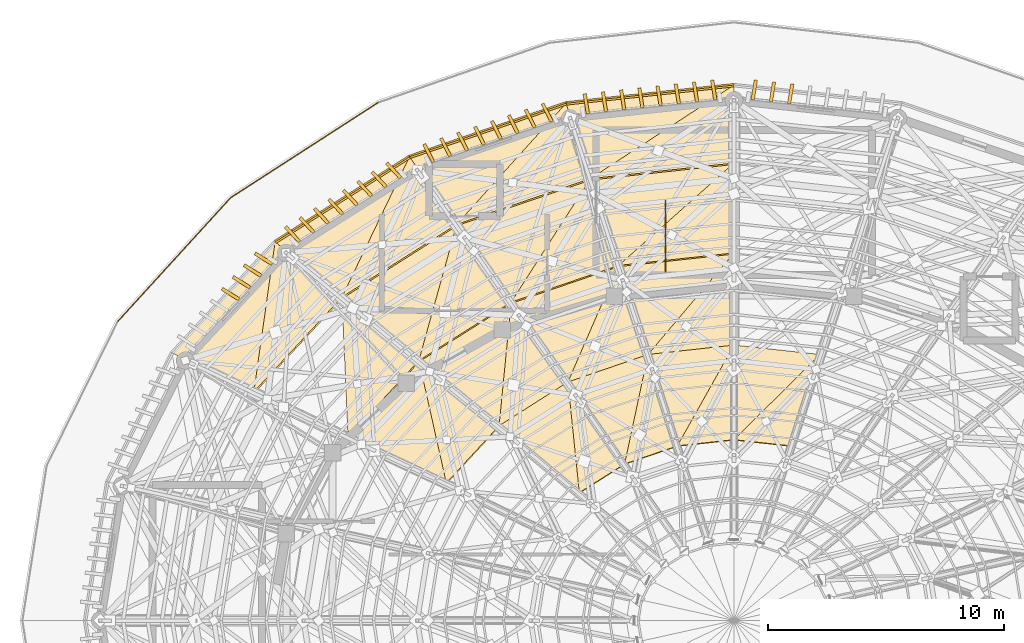
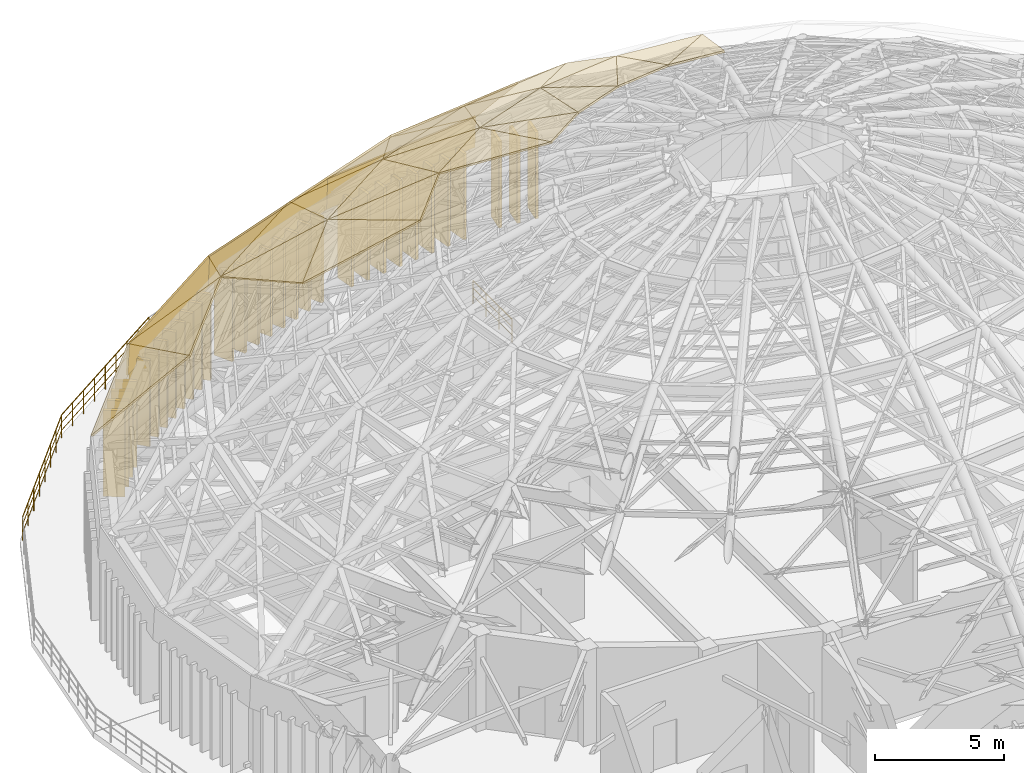
# One storey, part 48 of 50: 34 coverings, 31 shading devices, 3 railings, 3 elements without a shape of their own.
"""IFC4 building model written with IfcOpenShell, lengths in metres."""

from ifc_helpers import new_model, si_unit, direction, frame, origin, origin_2d, place, context, subcontext, project, spatial, polyline, rectangle, circle, outline, extrude, material, layer, layer_set, type_object, element, aggregate, save


model = new_model("IFC4")

# Units and contexts
model_context = context("Model", 3, precision=1e-05, world=origin(), true_north=direction((0.0, 1.0)))
body_context = subcontext(model_context, "Body", "Model", "MODEL_VIEW")
ifc_project = project(units=[si_unit("LENGTHUNIT", "METRE"), si_unit("AREAUNIT", "SQUARE_METRE"), si_unit("VOLUMEUNIT", "CUBIC_METRE"), si_unit("PLANEANGLEUNIT", "RADIAN"), si_unit("MASSUNIT", "GRAM", prefix="KILO")], contexts=[model_context])

# Site, building, storey
site_placement = place(None, origin())
site = spatial("IfcSite", under=ifc_project, at=site_placement, CompositionType="ELEMENT")
building_placement = place(site_placement, origin())
building = spatial("IfcBuilding", under=site, at=building_placement, Name="Cinderbank Siding Concert Hall", CompositionType="ELEMENT")
storey_placement = place(building_placement, frame((0.0, 0.0, 23.699951171875)))
storey = spatial("IfcBuildingStorey", under=building, at=storey_placement, Name="L06", CompositionType="ELEMENT", Elevation=23.699951171875)

# Railings
ifc_material_1 = material(Name="Structural steel AS/NZS 3679.1 Grade 350 (340 MPa)", Category="steel")
railing_type_1 = type_object("IfcRailingType", Name="GD-01 Terrace & Perimeter Guardrail 1120mm", PredefinedType="GUARDRAIL", material=ifc_material_1)
railing_1_placement = place(storey_placement, frame((95.929443359375, 56.64306640625, 0.0)))
element("IfcRailing", 1, at=railing_1_placement, inside=storey, type_object=railing_type_1, Name="L06 Perimeter Guardrail #141", PredefinedType="GUARDRAIL", context=body_context, shape_type="SweptSolid", body=[
    extrude(circle(Radius=0.02392578125, at=origin_2d()), frame((0.0, 0.0, 1.09619140625), z_axis=(0.673978793804, 0.738750692387, 0.0), x_axis=(-0.738750692387, 0.673978793804, 0.0)), (0.0, 0.0, 1.0), 7.09375),
    extrude(circle(Radius=0.01611328125, at=origin_2d()), frame((0.0, 0.0, 0.36962890625), z_axis=(0.673978793804, 0.738750692387, 0.0), x_axis=(-0.738750692387, 0.673978793804, 0.0)), (0.0, 0.0, 1.0), 7.09375),
    extrude(circle(Radius=0.01611328125, at=origin_2d()), frame((0.0, 0.0, 0.7392578125), z_axis=(0.673978793804, 0.738750692387, 0.0), x_axis=(-0.738750692387, 0.673978793804, 0.0)), (0.0, 0.0, 1.0), 7.09375),
    extrude(circle(Radius=0.02099609375, at=origin_2d()), origin(), (0.0, 0.0, 1.0), 1.072021484375),
    extrude(circle(Radius=0.02099609375, at=origin_2d()), frame((0.68310546875, 0.74853515625, 0.0)), (0.0, 0.0, 1.0), 1.072021484375),
    extrude(circle(Radius=0.02099609375, at=origin_2d()), frame((1.365966796875, 1.497314453125, 0.0)), (0.0, 0.0, 1.0), 1.072021484375),
    extrude(circle(Radius=0.02099609375, at=origin_2d()), frame((2.049072265625, 2.245849609375, 0.0)), (0.0, 0.0, 1.0), 1.072021484375),
    extrude(circle(Radius=0.02099609375, at=origin_2d()), frame((2.73193359375, 2.99462890625, 0.0)), (0.0, 0.0, 1.0), 1.072021484375),
    extrude(circle(Radius=0.02099609375, at=origin_2d()), frame((3.4150390625, 3.7431640625, 0.0)), (0.0, 0.0, 1.0), 1.072021484375),
    extrude(circle(Radius=0.02099609375, at=origin_2d()), frame((4.097900390625, 4.491943359375, 0.0)), (0.0, 0.0, 1.0), 1.072021484375),
    extrude(circle(Radius=0.02099609375, at=origin_2d()), frame((4.781005859375, 5.240478515625, 0.0)), (0.0, 0.0, 1.0), 1.072021484375),
])
railing_2_placement = place(storey_placement, frame((100.71044921875, 61.883544921875, 0.0)))
element("IfcRailing", 2, at=railing_2_placement, inside=storey, type_object=railing_type_1, Name="L06 Perimeter Guardrail #142", PredefinedType="GUARDRAIL", context=body_context, shape_type="SweptSolid", body=[
    extrude(circle(Radius=0.02392578125, at=origin_2d()), frame((0.0, 0.0, 1.09619140625), z_axis=(0.840220235148, 0.54224529177, 0.0), x_axis=(-0.54224529177, 0.840220235148, 0.0)), (0.0, 0.0, 1.0), 7.4189453125),
    extrude(circle(Radius=0.01611328125, at=origin_2d()), frame((0.0, 0.0, 0.36962890625), z_axis=(0.840220235148, 0.54224529177, 0.0), x_axis=(-0.54224529177, 0.840220235148, 0.0)), (0.0, 0.0, 1.0), 7.4189453125),
    extrude(circle(Radius=0.01611328125, at=origin_2d()), frame((0.0, 0.0, 0.7392578125), z_axis=(0.840220235148, 0.54224529177, 0.0), x_axis=(-0.54224529177, 0.840220235148, 0.0)), (0.0, 0.0, 1.0), 7.4189453125),
    extrude(circle(Radius=0.02099609375, at=origin_2d()), origin(), (0.0, 0.0, 1.0), 1.072021484375),
    extrude(circle(Radius=0.02099609375, at=origin_2d()), frame((0.779296875, 0.5029296875, 0.0)), (0.0, 0.0, 1.0), 1.072021484375),
    extrude(circle(Radius=0.02099609375, at=origin_2d()), frame((1.558349609375, 1.005859375, 0.0)), (0.0, 0.0, 1.0), 1.072021484375),
    extrude(circle(Radius=0.02099609375, at=origin_2d()), frame((2.337646484375, 1.508544921875, 0.0)), (0.0, 0.0, 1.0), 1.072021484375),
    extrude(circle(Radius=0.02099609375, at=origin_2d()), frame((3.11669921875, 2.011474609375, 0.0)), (0.0, 0.0, 1.0), 1.072021484375),
    extrude(circle(Radius=0.02099609375, at=origin_2d()), frame((3.89599609375, 2.514404296875, 0.0)), (0.0, 0.0, 1.0), 1.072021484375),
    extrude(circle(Radius=0.02099609375, at=origin_2d()), frame((4.67529296875, 3.01708984375, 0.0)), (0.0, 0.0, 1.0), 1.072021484375),
    extrude(circle(Radius=0.02099609375, at=origin_2d()), frame((5.454345703125, 3.52001953125, 0.0)), (0.0, 0.0, 1.0), 1.072021484375),
    extrude(circle(Radius=0.02099609375, at=origin_2d()), frame((6.233642578125, 4.02294921875, 0.0)), (0.0, 0.0, 1.0), 1.072021484375),
])

# Shading devices
ifc_material_2 = material(Name="Glazed architectural terracotta acoustic louvre unit", Category="masonry")
shading_device_type = type_object("IfcShadingDeviceType", Name="LV-02 Terracotta Louvre Blade 850x4050", PredefinedType="JALOUSIE", material=ifc_material_2)
for number, where, z_axis, x_axis, name in (
    (3, (124.39697265625, 66.273193359375, -0.27490234375), (0.0, 0.0, 1.0), (0.158354123126, 0.987382383724, 0.0), "L06 Terracotta Louvre Blade #223"),
    (4, (123.626708984375, 66.356689453125, -0.27490234375), (0.0, 0.0, 1.0), (0.158354123126, 0.987382383724, 0.0), "L06 Terracotta Louvre Blade #224"),
    (5, (122.856689453125, 66.439697265625, -0.27490234375), (0.0, 0.0, 1.0), (0.158354123126, 0.987382383724, 0.0), "L06 Terracotta Louvre Blade #225"),
    (6, (121.143310546875, 66.439697265625, -0.27490234375), (0.0, 0.0, 1.0), (-0.158354123126, 0.987382383724, 0.0), "L06 Terracotta Louvre Blade #226"),
    (7, (120.373291015625, 66.356689453125, -0.27490234375), (0.0, 0.0, 1.0), (-0.158354123126, 0.987382383724, 0.0), "L06 Terracotta Louvre Blade #227"),
    (8, (119.60302734375, 66.273193359375, -0.27490234375), (0.0, 0.0, 1.0), (-0.158354123126, 0.987382383724, 0.0), "L06 Terracotta Louvre Blade #228"),
    (9, (118.8330078125, 66.190185546875, -0.27490234375), (0.0, 0.0, 1.0), (-0.158354123126, 0.987382383724, 0.0), "L06 Terracotta Louvre Blade #229"),
    (10, (118.062744140625, 66.10693359375, -0.27490234375), (0.0, 0.0, 1.0), (-0.158354123126, 0.987382383724, 0.0), "L06 Terracotta Louvre Blade #230"),
    (11, (117.292724609375, 66.023681640625, -0.27490234375), (0.0, 0.0, 1.0), (-0.158354123126, 0.987382383724, 0.0), "L06 Terracotta Louvre Blade #231"),
    (12, (116.522705078125, 65.9404296875, -0.27490234375), (0.0, 0.0, 1.0), (-0.158354123126, 0.987382383724, 0.0), "L06 Terracotta Louvre Blade #232"),
    (13, (115.75244140625, 65.857177734375, -0.27490234375), (0.0, 0.0, 1.0), (-0.158354123126, 0.987382383724, 0.0), "L06 Terracotta Louvre Blade #233"),
    (14, (114.097900390625, 65.476318359375, -0.27490234375), (0.0, 0.0, 1.0), (-0.450487284518, 0.89278284397, 0.0), "L06 Terracotta Louvre Blade #234"),
    (15, (113.382080078125, 65.23291015625, -0.27490234375), (0.0, 0.0, 1.0), (-0.450487284518, 0.89278284397, 0.0), "L06 Terracotta Louvre Blade #235"),
    (16, (112.66650390625, 64.98974609375, -0.27490234375), (0.0, 0.0, 1.0), (-0.450487284518, 0.89278284397, 0.0), "L06 Terracotta Louvre Blade #236"),
    (17, (111.950927734375, 64.746337890625, -0.27490234375), (0.0, 0.0, 1.0), (-0.450487284518, 0.89278284397, 0.0), "L06 Terracotta Louvre Blade #237"),
    (18, (111.235107421875, 64.5029296875, -0.27490234375), (0.0, 0.0, 1.0), (-0.450487284518, 0.89278284397, 0.0), "L06 Terracotta Louvre Blade #238"),
    (19, (110.51953125, 64.259765625, -0.27490234375), (0.0, 0.0, 1.0), (-0.450487284518, 0.89278284397, 0.0), "L06 Terracotta Louvre Blade #239"),
    (20, (109.803955078125, 64.016357421875, -0.27490234375), (0.0, 0.0, 1.0), (-0.450487284518, 0.89278284397, 0.0), "L06 Terracotta Louvre Blade #240"),
    (21, (109.08837890625, 63.77294921875, -0.27490234375), (0.0, 0.0, 1.0), (-0.450487284518, 0.89278284397, 0.0), "L06 Terracotta Louvre Blade #241"),
    (22, (107.602294921875, 63.039306640625, -0.27490234375), (0.0, 0.0, 1.0), (-0.682869257989, 0.730540605643, 0.0), "L06 Terracotta Louvre Blade #242"),
    (23, (106.9912109375, 62.654296875, -0.27490234375), (0.0, 0.0, 1.0), (-0.682869257989, 0.730540605643, 0.0), "L06 Terracotta Louvre Blade #243"),
    (24, (106.3798828125, 62.269287109375, -0.27490234375), (0.0, 0.0, 1.0), (-0.682869257989, 0.730540605643, 0.0), "L06 Terracotta Louvre Blade #244"),
    (25, (105.7685546875, 61.88427734375, -0.27490234375), (0.0, 0.0, 1.0), (-0.682869257989, 0.730540605643, 0.0), "L06 Terracotta Louvre Blade #245"),
    (26, (105.1572265625, 61.4990234375, -0.27490234375), (0.0, 0.0, 1.0), (-0.682869257989, 0.730540605643, 0.0), "L06 Terracotta Louvre Blade #246"),
    (27, (104.5458984375, 61.114013671875, -0.27490234375), (0.0, 0.0, 1.0), (-0.682869257989, 0.730540605643, 0.0), "L06 Terracotta Louvre Blade #247"),
    (28, (103.9345703125, 60.72900390625, -0.27490234375), (0.0, 0.0, 1.0), (-0.682869257989, 0.730540605643, 0.0), "L06 Terracotta Louvre Blade #248"),
    (29, (103.3232421875, 60.343994140625, -0.27490234375), (0.0, 0.0, 1.0), (-0.682869257989, 0.730540605643, 0.0), "L06 Terracotta Louvre Blade #249"),
    (30, (102.101806640625, 59.3046875, -0.27490234375), (0.0, 0.0, 1.0), (-0.846132246596, 0.532973002384, 0.0), "L06 Terracotta Louvre Blade #250"),
    (31, (101.635986328125, 58.806396484375, -0.27490234375), (0.0, 0.0, 1.0), (-0.846132246596, 0.532973002384, 0.0), "L06 Terracotta Louvre Blade #251"),
    (32, (101.170166015625, 58.30810546875, -0.27490234375), (0.0, 0.0, 1.0), (-0.846132246596, 0.532973002384, 0.0), "L06 Terracotta Louvre Blade #252"),
    (33, (100.704345703125, 57.809814453125, -0.27490234375), (0.0, 0.0, 1.0), (-0.846132246596, 0.532973002384, 0.0), "L06 Terracotta Louvre Blade #253"),
):
    element("IfcShadingDevice", number, at=place(storey_placement, frame(where, z_axis=z_axis, x_axis=x_axis)), inside=storey, type_object=shading_device_type, Name=name, PredefinedType="JALOUSIE", context=body_context, shape_type="SweptSolid", body=[
        extrude(rectangle(XDim=0.85009765625, YDim=0.139892578125, at=origin_2d()), origin(), (0.0, 0.0, 1.0), 4.090087890625),
    ])

# Roof, coverings
ifc_material_3 = material(Name="Patinated sheet copper roofing", Category="metal")
roof_type = type_object("IfcRoofType", Name="RF-DM1 Schwedler Dome Sector Roof", PredefinedType="DOME_ROOF", material=ifc_material_3)
roof_1_placement = place(storey_placement, origin())
roof_1 = element("IfcRoof", 34, at=roof_1_placement, inside=storey, type_object=roof_type, Name="Schwedler Dome Roof Bay 03", PredefinedType="DOME_ROOF")
ifc_layer = layer(ifc_material_3, 0.080078125)
ifc_layer_set = layer_set([ifc_layer], Name="Patinated sheet copper roofing")
covering_type = type_object("IfcCoveringType", Name="RC-01 Standing Seam Copper Roofing", PredefinedType="ROOFING", material=ifc_layer_set)
covering_1_placement = place(storey_placement, frame((125.636474609375, 55.2529296875, 14.449951171875), z_axis=(0.048761617875, 0.446681610238, 0.893363220475), x_axis=(-0.994094324789, 0.108519461034, 0.0)))
covering_1 = element("IfcCovering", 35, at=covering_1_placement, type_object=covering_type, Name="Dome Copper Facet B03-1-3-0", PredefinedType="ROOFING", context=body_context, shape_type="SweptSolid", body=[
    extrude(outline(polyline([(0.0, 0.0), (3.658078030118991, 5.551115123125783e-17), (3.224000185981711, 4.451019706227903), (0.0, 0.0)])), origin(), (0.0, 0.0, -1.0), 0.080078125),
])
covering_2_placement = place(storey_placement, frame((125.636474609375, 55.2529296875, 14.449951171875), z_axis=(0.048616675052, 0.44679954598, 0.893312142881), x_axis=(-0.661661281487, -0.655575508036, 0.363902599392)))
covering_2 = element("IfcCovering", 36, at=covering_2_placement, type_object=covering_type, Name="Dome Copper Facet B03-1-3-1", PredefinedType="ROOFING", context=body_context, shape_type="SweptSolid", body=[
    extrude(outline(polyline([(0.0, 0.0), (5.4959761302646895, 0.0), (4.082706731048076, 1.949864244988588), (0.0, 0.0)])), origin(), (0.0, 0.0, -1.0), 0.080078125),
])
aggregate(roof_1, [covering_1, covering_2])

roof_2_placement = place(storey_placement, origin())
roof_2 = element("IfcRoof", 37, at=roof_2_placement, inside=storey, type_object=roof_type, Name="Schwedler Dome Roof Bay 04", PredefinedType="DOME_ROOF")
covering_3_placement = place(storey_placement, frame((122.0, 66.719970703125, 3.449951171875), z_axis=(-0.107929110911, 0.99307736259, 0.04635362909), x_axis=(-0.994145975522, -0.108045265301, 3.41974e-07)))
covering_3 = element("IfcCovering", 38, at=covering_3_placement, type_object=covering_type, Name="Dome Springing Copper Fascia B04-0", PredefinedType="ROOFING", context=body_context, shape_type="SweptSolid", body=[
    extrude(outline(polyline([(0.0, 0.0), (7.164751067410644, 0.0), (7.150699747520008, 1.5016116477882973), (0.007571067438202069, 1.5016165459695072), (0.0, 0.0)])), origin(), (0.0, 0.0, -1.0), 0.080078125),
])
covering_4_placement = place(storey_placement, frame((122.0, 66.64990234375, 4.949951171875), z_axis=(-0.079819798638, 0.734816874522, 0.673552492879), x_axis=(-0.994151960325, -0.107990183732, 0.0)))
covering_4 = element("IfcCovering", 39, at=covering_4_placement, type_object=covering_type, Name="Dome Copper Facet B04-0-0-0", PredefinedType="ROOFING", context=body_context, shape_type="SweptSolid", body=[
    extrude(outline(polyline([(0.0, 0.0), (7.146283939508513, -1.1102230246251565e-16), (6.461400034972708, 4.870661339464959), (0.0, 0.0)])), origin(), (0.0, 0.0, -1.0), 0.080078125),
])
covering_5_placement = place(storey_placement, frame((122.0, 66.64990234375, 4.949951171875), z_axis=(-0.079838125216, 0.734829986257, 0.673536016157), x_axis=(-0.750084081366, -0.489304647929, 0.44492115301)))
covering_5 = element("IfcCovering", 40, at=covering_5_placement, type_object=covering_type, Name="Dome Copper Facet B04-0-0-1", PredefinedType="ROOFING", context=body_context, shape_type="SweptSolid", body=[
    extrude(outline(polyline([(0.0, 0.0), (8.091540786259678, 8.881784197001252e-16), (3.2163693710193906, 3.6748309048651553), (0.0, 0.0)])), origin(), (0.0, 0.0, -1.0), 0.080078125),
])
covering_6_placement = place(storey_placement, frame((122.0, 63.35009765625, 8.550048828125), z_axis=(-0.069812755367, 0.642556497008, 0.763051326806), x_axis=(-0.994149505088, -0.108012784121, 0.0)))
covering_6 = element("IfcCovering", 41, at=covering_6_placement, type_object=covering_type, Name="Dome Copper Facet B04-0-1-0", PredefinedType="ROOFING", context=body_context, shape_type="SweptSolid", body=[
    extrude(outline(polyline([(0.0, 0.0), (6.105053522069077, -1.1102230246251565e-16), (5.317823315267854, 4.950895195419978), (0.0, 0.0)])), origin(), (0.0, 0.0, -1.0), 0.080078125),
])
covering_7_placement = place(storey_placement, frame((122.0, 63.35009765625, 8.550048828125), z_axis=(-0.069808546777, 0.642553749537, 0.763054025448), x_axis=(-0.671463497494, -0.595960395914, 0.440417958347)))
covering_7 = element("IfcCovering", 42, at=covering_7_placement, type_object=covering_type, Name="Dome Copper Facet B04-0-1-1", PredefinedType="ROOFING", context=body_context, shape_type="SweptSolid", body=[
    extrude(outline(polyline([(0.0, 0.0), (7.265714558695451, -4.440892098500626e-16), (3.6739945660310998, 3.3439232238932046), (0.0, 0.0)])), origin(), (0.0, 0.0, -1.0), 0.080078125),
])
covering_8_placement = place(storey_placement, frame((122.0, 59.550048828125, 11.75), z_axis=(-0.061699869478, 0.56791731542, 0.820769790473), x_axis=(-0.994150154684, -0.108006805075, 0.0)))
covering_8 = element("IfcCovering", 43, at=covering_8_placement, type_object=covering_type, Name="Dome Copper Facet B04-0-2-0", PredefinedType="ROOFING", context=body_context, shape_type="SweptSolid", body=[
    extrude(outline(polyline([(0.0, 0.0), (4.907369461635952, 0.0), (4.079319904819652, 4.726316318022542), (0.0, 0.0)])), origin(), (0.0, 0.0, -1.0), 0.080078125),
])
covering_9_placement = place(storey_placement, frame((122.0, 59.550048828125, 11.75), z_axis=(-0.062015387818, 0.568092989887, 0.820624424762), x_axis=(-0.582459423952, -0.688275818797, 0.432455103692)))
covering_9 = element("IfcCovering", 44, at=covering_9_placement, type_object=covering_type, Name="Dome Copper Facet B04-0-2-1", PredefinedType="ROOFING", context=body_context, shape_type="SweptSolid", body=[
    extrude(outline(polyline([(0.0, 0.0), (6.243309765169753, 2.220446049250313e-16), (3.8519841789564673, 2.768229906485538), (0.0, 0.0)])), origin(), (0.0, 0.0, -1.0), 0.080078125),
])
covering_10_placement = place(storey_placement, frame((122.0, 55.64990234375, 14.449951171875), z_axis=(-0.048769846206, 0.446756986, 0.893325079443), x_axis=(-0.994094324789, -0.108519461034, 0.0)))
covering_10 = element("IfcCovering", 45, at=covering_10_placement, type_object=covering_type, Name="Dome Copper Facet B04-0-3-0", PredefinedType="ROOFING", context=body_context, shape_type="SweptSolid", body=[
    extrude(outline(polyline([(0.0, 0.0), (3.658078030118991, 0.0), (2.8422514803189762, 4.450268740904486), (0.0, 0.0)])), origin(), (0.0, 0.0, -1.0), 0.080078125),
])
covering_11_placement = place(storey_placement, frame((122.0, 55.64990234375, 14.449951171875), z_axis=(-0.048604215682, 0.446685041213, 0.893370082426), x_axis=(-0.453377506279, -0.806841817467, 0.378754694212)))
covering_11 = element("IfcCovering", 46, at=covering_11_placement, type_object=covering_type, Name="Dome Copper Facet B04-0-3-1", PredefinedType="ROOFING", context=body_context, shape_type="SweptSolid", body=[
    extrude(outline(polyline([(0.0, 0.0), (5.280462606973655, 1.1102230246251565e-16), (3.9848766582895307, 2.029965028816817), (0.0, 0.0)])), origin(), (0.0, 0.0, -1.0), 0.080078125),
])
covering_12_placement = place(storey_placement, frame((114.877197265625, 65.94580078125, 3.449951171875), z_axis=(-0.323224216311, 0.945177524925, 0.046535495775), x_axis=(-0.946202602374, -0.323574775378, 2.29836e-07)))
covering_12 = element("IfcCovering", 47, at=covering_12_placement, type_object=covering_type, Name="Dome Springing Copper Fascia B04-1", PredefinedType="ROOFING", context=body_context, shape_type="SweptSolid", body=[
    extrude(outline(polyline([(0.0, 0.0), (7.014584627642685, -1.3877787807814457e-17), (6.998218398446824, 1.5016251967643683), (0.004557233817532843, 1.501628419861422), (0.0, 0.0)])), origin(), (0.0, 0.0, -1.0), 0.080078125),
])
covering_13_placement = place(storey_placement, frame((114.8955078125, 65.878173828125, 4.949951171875), z_axis=(-0.236716844052, 0.692629194756, 0.681344211331), x_axis=(-0.94626237199, -0.323399943344, 0.0)))
covering_13 = element("IfcCovering", 48, at=covering_13_placement, type_object=covering_type, Name="Dome Copper Facet B04-1-0-0", PredefinedType="ROOFING", context=body_context, shape_type="SweptSolid", body=[
    extrude(outline(polyline([(0.0, 0.0), (6.996585370739922, -2.220446049250313e-16), (6.028308609373036, 4.918413739116556), (0.0, 0.0)])), origin(), (0.0, 0.0, -1.0), 0.080078125),
])
covering_14_placement = place(storey_placement, frame((114.8955078125, 65.878173828125, 4.949951171875), z_axis=(-0.236739477827, 0.692637881199, 0.681327516813), x_axis=(-0.593893938819, -0.65815975234, 0.462726409269)))
covering_14 = element("IfcCovering", 49, at=covering_14_placement, type_object=covering_type, Name="Dome Copper Facet B04-1-0-1", PredefinedType="ROOFING", context=body_context, shape_type="SweptSolid", body=[
    extrude(outline(polyline([(0.0, 0.0), (7.780186270197621, 0.0), (3.14897144947075, 3.778410599295542), (0.0, 0.0)])), origin(), (0.0, 0.0, -1.0), 0.080078125),
])
covering_15_placement = place(storey_placement, frame((115.9306640625, 62.690673828125, 8.550048828125), z_axis=(-0.206483813476, 0.604117709394, 0.769679302027), x_axis=(-0.946254150241, -0.323423999034, 0.0)))
covering_15 = element("IfcCovering", 50, at=covering_15_placement, type_object=covering_type, Name="Dome Copper Facet B04-1-1-0", PredefinedType="ROOFING", context=body_context, shape_type="SweptSolid", body=[
    extrude(outline(polyline([(0.0, 0.0), (5.977000700400588, 0.0), (4.864884424411561, 5.012213729002317), (0.0, 0.0)])), origin(), (0.0, 0.0, -1.0), 0.080078125),
])
covering_16_placement = place(storey_placement, frame((115.9306640625, 62.690673828125, 8.550048828125), z_axis=(-0.206378507029, 0.604083709196, 0.769734229537), x_axis=(-0.480421146974, -0.747877139454, 0.458121496791)))
covering_16 = element("IfcCovering", 51, at=covering_16_placement, type_object=covering_type, Name="Dome Copper Facet B04-1-1-1", PredefinedType="ROOFING", context=body_context, shape_type="SweptSolid", body=[
    extrude(outline(polyline([(0.0, 0.0), (6.984940008910707, -4.440892098500626e-16), (3.6391399698096993, 3.4478623688694983), (0.0, 0.0)])), origin(), (0.0, 0.0, -1.0), 0.080078125),
])
covering_17_placement = place(storey_placement, frame((117.121337890625, 59.02001953125, 11.75), z_axis=(-0.181736393345, 0.531954592404, 0.82704062473), x_axis=(-0.946299055264, -0.323292588851, 0.0)))
covering_17 = element("IfcCovering", 52, at=covering_17_placement, type_object=covering_type, Name="Dome Copper Facet B04-1-2-0", PredefinedType="ROOFING", context=body_context, shape_type="SweptSolid", body=[
    extrude(outline(polyline([(0.0, 0.0), (4.804386830420163, 0.0), (3.625111184535692, 4.8029686738057), (0.0, 0.0)])), origin(), (0.0, 0.0, -1.0), 0.080078125),
])
covering_18_placement = place(storey_placement, frame((117.121337890625, 59.02001953125, 11.75), z_axis=(-0.182794181012, 0.532200637355, 0.826649120841), x_axis=(-0.356668236444, -0.819432188769, 0.448685476833)))
covering_18 = element("IfcCovering", 53, at=covering_18_placement, type_object=covering_type, Name="Dome Copper Facet B04-1-2-1", PredefinedType="ROOFING", context=body_context, shape_type="SweptSolid", body=[
    extrude(outline(polyline([(0.0, 0.0), (6.017469499864928, 3.3306690738754696e-16), (3.855254729973784, 2.8567014148427563), (0.0, 0.0)])), origin(), (0.0, 0.0, -1.0), 0.080078125),
])
covering_19_placement = place(storey_placement, frame((118.363525390625, 55.2529296875, 14.449951171875), z_axis=(-0.143667068942, 0.418283039615, 0.896882975684), x_axis=(-0.945768401468, -0.324841701117, 0.0)))
covering_19 = element("IfcCovering", 54, at=covering_19_placement, type_object=covering_type, Name="Dome Copper Facet B04-1-3-0", PredefinedType="ROOFING", context=body_context, shape_type="SweptSolid", body=[
    extrude(outline(polyline([(0.0, 0.0), (3.582724617480391, 1.1102230246251565e-16), (2.438260630838047, 4.522145589922929), (0.0, 0.0)])), origin(), (0.0, 0.0, -1.0), 0.080078125),
])
covering_20_placement = place(storey_placement, frame((118.363525390625, 55.2529296875, 14.449951171875), z_axis=(-0.143303493936, 0.418239325324, 0.896961523912), x_axis=(-0.192410022175, -0.900796339924, 0.389286960153)))
covering_20 = element("IfcCovering", 55, at=covering_20_placement, type_object=covering_type, Name="Dome Copper Facet B04-1-3-1", PredefinedType="ROOFING", context=body_context, shape_type="SweptSolid", body=[
    extrude(outline(polyline([(0.0, 0.0), (5.13759823656484, 5.551115123125783e-17), (4.019767151862449, 2.076520375637535), (0.0, 0.0)])), origin(), (0.0, 0.0, -1.0), 0.080078125),
])
aggregate(roof_2, [covering_3, covering_4, covering_5, covering_6, covering_7, covering_8, covering_9, covering_10, covering_11, covering_12, covering_13, covering_14, covering_15, covering_16, covering_17, covering_18, covering_19, covering_20])

roof_3_placement = place(storey_placement, origin())
roof_3 = element("IfcRoof", 56, at=roof_3_placement, inside=storey, type_object=roof_type, Name="Schwedler Dome Roof Bay 05", PredefinedType="DOME_ROOF")
covering_21_placement = place(storey_placement, frame((108.239990234375, 63.676025390625, 3.449951171875), z_axis=(-0.53456671717, 0.843842179223, 0.0465703925), x_axis=(-0.844758750782, -0.535147318948, -6.9527e-07)))
covering_21 = element("IfcCovering", 57, at=covering_21_placement, type_object=covering_type, Name="Dome Springing Copper Fascia B05-0", PredefinedType="ROOFING", context=body_context, shape_type="SweptSolid", body=[
    extrude(outline(polyline([(0.0, 0.0), (6.747078001873022, 0.0), (6.729594459065315, 1.5016339356825428), (0.0029081450192496023, 1.501624557603954), (0.0, 0.0)])), origin(), (0.0, 0.0, -1.0), 0.080078125),
])
covering_22_placement = place(storey_placement, frame((108.27490234375, 63.615478515625, 4.949951171875), z_axis=(-0.384369647402, 0.60709703652, 0.695480526259), x_axis=(-0.844897790978, -0.534927773443, 0.0)))
covering_22 = element("IfcCovering", 58, at=covering_22_placement, type_object=covering_type, Name="Dome Copper Facet B05-0-0-0", PredefinedType="ROOFING", context=body_context, shape_type="SweptSolid", body=[
    extrude(outline(polyline([(0.0, 0.0), (6.728693878071593, -4.440892098500626e-16), (5.587262908854282, 5.010260920574366), (0.0, 0.0)])), origin(), (0.0, 0.0, -1.0), 0.080078125),
])
covering_23_placement = place(storey_placement, frame((108.27490234375, 63.615478515625, 4.949951171875), z_axis=(-0.384376163227, 0.607097658998, 0.695476381757), x_axis=(-0.380654400758, -0.790554875037, 0.479713682042)))
covering_23 = element("IfcCovering", 59, at=covering_23_placement, type_object=covering_type, Name="Dome Copper Facet B05-0-0-1", PredefinedType="ROOFING", context=body_context, shape_type="SweptSolid", body=[
    extrude(outline(polyline([(0.0, 0.0), (7.504679960191073, -2.220446049250313e-16), (3.2250421073175017, 3.8376369033251088), (0.0, 0.0)])), origin(), (0.0, 0.0, -1.0), 0.080078125),
])
covering_24_placement = place(storey_placement, frame((110.27490234375, 60.757568359375, 8.550048828125), z_axis=(-0.333647787914, 0.526975422388, 0.781649574822), x_axis=(-0.844893940464, -0.534933855132, 0.0)))
covering_24 = element("IfcCovering", 60, at=covering_24_placement, type_object=covering_type, Name="Dome Copper Facet B05-0-1-0", PredefinedType="ROOFING", context=body_context, shape_type="SweptSolid", body=[
    extrude(outline(polyline([(0.0, 0.0), (5.748282974376876, 0.0), (4.437482203083155, 5.130446772349297), (0.0, 0.0)])), origin(), (0.0, 0.0, -1.0), 0.080078125),
])
covering_25_placement = place(storey_placement, frame((110.27490234375, 60.757568359375, 8.550048828125), z_axis=(-0.333563858497, 0.526972896782, 0.781687097477), x_axis=(-0.236464750223, -0.849437529682, 0.471741777956)))
covering_25 = element("IfcCovering", 61, at=covering_25_placement, type_object=covering_type, Name="Dome Copper Facet B05-0-1-1", PredefinedType="ROOFING", context=body_context, shape_type="SweptSolid", body=[
    extrude(outline(polyline([(0.0, 0.0), (6.783268562174806, 0.0), (3.76097498398652, 3.4948757125750007), (0.0, 0.0)])), origin(), (0.0, 0.0, -1.0), 0.080078125),
])
covering_26_placement = place(storey_placement, frame((112.574951171875, 57.466796875, 11.75), z_axis=(-0.291883754573, 0.461125579863, 0.837954099824), x_axis=(-0.844953598456, -0.534839617508, 0.0)))
covering_26 = element("IfcCovering", 62, at=covering_26_placement, type_object=covering_type, Name="Dome Copper Facet B05-0-2-0", PredefinedType="ROOFING", context=body_context, shape_type="SweptSolid", body=[
    extrude(outline(polyline([(0.0, 0.0), (4.620434472980303, -2.220446049250313e-16), (3.2274067483800204, 4.947314913670818), (0.0, 0.0)])), origin(), (0.0, 0.0, -1.0), 0.080078125),
])
covering_27_placement = place(storey_placement, frame((112.574951171875, 57.466796875, 11.75), z_axis=(-0.293314478398, 0.461033267576, 0.837505189805), x_axis=(-0.086299269933, -0.885228813903, 0.457080280743)))
covering_27 = element("IfcCovering", 63, at=covering_27_placement, type_object=covering_type, Name="Dome Copper Facet B05-0-2-1", PredefinedType="ROOFING", context=body_context, shape_type="SweptSolid", body=[
    extrude(outline(polyline([(0.0, 0.0), (5.906951766733718, 0.0), (4.01698812069772, 2.8849619700627813), (0.0, 0.0)])), origin(), (0.0, 0.0, -1.0), 0.080078125),
])
covering_28_placement = place(storey_placement, frame((114.97509765625, 54.089111328125, 14.449951171875), z_axis=(-0.230413817419, 0.362165671873, 0.903186303516), x_axis=(-0.843719778593, -0.536783881288, 0.0)))
covering_28 = element("IfcCovering", 64, at=covering_28_placement, type_object=covering_type, Name="Dome Copper Facet B05-0-3-0", PredefinedType="ROOFING", context=body_context, shape_type="SweptSolid", body=[
    extrude(outline(polyline([(0.0, 0.0), (3.4489082550926464, 2.220446049250313e-16), (2.1035100379831286, 4.6593028777661205), (0.0, 0.0)])), origin(), (0.0, 0.0, -1.0), 0.080078125),
])
covering_29_placement = place(storey_placement, frame((114.97509765625, 54.089111328125, 14.449951171875), z_axis=(-0.229861294439, 0.362265831987, 0.903286915821), x_axis=(0.094702404195, -0.915408816746, 0.391226472599)))
covering_29 = element("IfcCovering", 65, at=covering_29_placement, type_object=covering_type, Name="Dome Copper Facet B05-0-3-1", PredefinedType="ROOFING", context=body_context, shape_type="SweptSolid", body=[
    extrude(outline(polyline([(0.0, 0.0), (5.1121284986447115, 1.6653345369377348e-16), (4.180807518941852, 2.0689241268688368), (0.0, 0.0)])), origin(), (0.0, 0.0, -1.0), 0.080078125),
])
covering_30_placement = place(storey_placement, frame((102.58984375, 60.01611328125, 4.949951171875), z_axis=(-0.513506426374, 0.477508864244, 0.712949110835), x_axis=(-0.680972790653, -0.732308717953, 0.0)))
covering_30 = element("IfcCovering", 66, at=covering_30_placement, type_object=covering_type, Name="Dome Copper Facet B05-1-0-0", PredefinedType="ROOFING", context=body_context, shape_type="SweptSolid", body=[
    extrude(outline(polyline([(0.0, 0.0), (6.405989706752592, 0.0), (5.255262018607522, 5.134079660448282), (0.0, 0.0)])), origin(), (0.0, 0.0, -1.0), 0.080078125),
])
covering_31_placement = place(storey_placement, frame((102.58984375, 60.01611328125, 4.949951171875), z_axis=(-0.513514338157, 0.477507332174, 0.712944438388), x_axis=(-0.122255179374, -0.86309697578, 0.490017633883)))
covering_31 = element("IfcCovering", 67, at=covering_31_placement, type_object=covering_type, Name="Dome Copper Facet B05-1-0-1", PredefinedType="ROOFING", context=body_context, shape_type="SweptSolid", body=[
    extrude(outline(polyline([(0.0, 0.0), (7.346873678242165, -2.220446049250313e-16), (3.4323619801482543, 3.824195390792135), (0.0, 0.0)])), origin(), (0.0, 0.0, -1.0), 0.080078125),
])
covering_32_placement = place(storey_placement, frame((105.418212890625, 57.6826171875, 8.550048828125), z_axis=(-0.442977054086, 0.412017014375, 0.796249527107), x_axis=(0.038235448834, -0.878652792862, 0.475927851725)))
covering_32 = element("IfcCovering", 68, at=covering_32_placement, type_object=covering_type, Name="Dome Copper Facet B05-1-1-1", PredefinedType="ROOFING", context=body_context, shape_type="SweptSolid", body=[
    extrude(outline(polyline([(0.0, 0.0), (6.723605605924327, 0.0), (4.008264129789852, 3.4602747595781365), (0.0, 0.0)])), origin(), (0.0, 0.0, -1.0), 0.080078125),
])
covering_33_placement = place(storey_placement, frame((108.6708984375, 54.99560546875, 11.75), z_axis=(-0.384747544598, 0.357857214389, 0.850827562456), x_axis=(-0.681055500194, -0.732231797763, 0.0)))
covering_33 = element("IfcCovering", 69, at=covering_33_placement, type_object=covering_type, Name="Dome Copper Facet B05-1-2-0", PredefinedType="ROOFING", context=body_context, shape_type="SweptSolid", body=[
    extrude(outline(polyline([(0.0, 0.0), (4.398474820183659, -2.220446049250313e-16), (2.9951553296895854, 5.138408621994076), (0.0, 0.0)])), origin(), (0.0, 0.0, -1.0), 0.080078125),
])
covering_34_placement = place(storey_placement, frame((108.6708984375, 54.99560546875, 11.75), z_axis=(-0.386129274002, 0.357334649401, 0.850421149841), x_axis=(0.195267469625, -0.869365091275, 0.453954792219)))
covering_34 = element("IfcCovering", 70, at=covering_34_placement, type_object=covering_type, Name="Dome Copper Facet B05-1-2-1", PredefinedType="ROOFING", context=body_context, shape_type="SweptSolid", body=[
    extrude(outline(polyline([(0.0, 0.0), (5.947621256901871, -3.3306690738754696e-16), (4.2859955440413735, 2.836669401427001), (0.0, 0.0)])), origin(), (0.0, 0.0, -1.0), 0.080078125),
])
aggregate(roof_3, [covering_21, covering_22, covering_23, covering_24, covering_25, covering_26, covering_27, covering_28, covering_29, covering_30, covering_31, covering_32, covering_33, covering_34])

# Railing
railing_type_2 = type_object("IfcRailingType", Name="STG-01 Stair Well Guardrail 1120mm", PredefinedType="GUARDRAIL", material=ifc_material_1)
railing_3_placement = place(storey_placement, frame((119.10009765625, 58.75, 0.0)))
element("IfcRailing", 71, at=railing_3_placement, inside=storey, type_object=railing_type_2, Name="L06 ST-01 top well guard 1", PredefinedType="GUARDRAIL", context=body_context, shape_type="SweptSolid", body=[
    extrude(circle(Radius=0.02392578125, at=origin_2d()), frame((0.0, 0.0, 1.09619140625), z_axis=(0.0, 1.0, 0.0), x_axis=(-1.0, 0.0, 0.0)), (0.0, 0.0, 1.0), 3.010009765625),
    extrude(circle(Radius=0.01611328125, at=origin_2d()), frame((0.0, 0.0, 0.36962890625), z_axis=(0.0, 1.0, 0.0), x_axis=(-1.0, 0.0, 0.0)), (0.0, 0.0, 1.0), 3.010009765625),
    extrude(circle(Radius=0.01611328125, at=origin_2d()), frame((0.0, 0.0, 0.7392578125), z_axis=(0.0, 1.0, 0.0), x_axis=(-1.0, 0.0, 0.0)), (0.0, 0.0, 1.0), 3.010009765625),
    extrude(circle(Radius=0.02099609375, at=origin_2d()), origin(), (0.0, 0.0, 1.0), 1.072021484375),
    extrude(circle(Radius=0.02099609375, at=origin_2d()), frame((0.0, 1.00341796875, 0.0)), (0.0, 0.0, 1.0), 1.072021484375),
    extrude(circle(Radius=0.02099609375, at=origin_2d()), frame((0.0, 2.006591796875, 0.0)), (0.0, 0.0, 1.0), 1.072021484375),
    extrude(circle(Radius=0.02099609375, at=origin_2d()), frame((0.0, 3.010009765625, 0.0)), (0.0, 0.0, 1.0), 1.072021484375),
])

save(model, "model.ifc")
